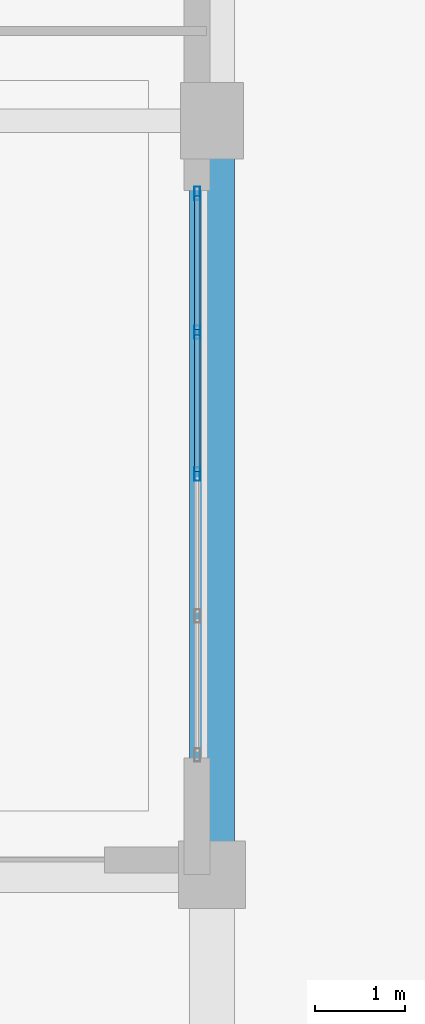
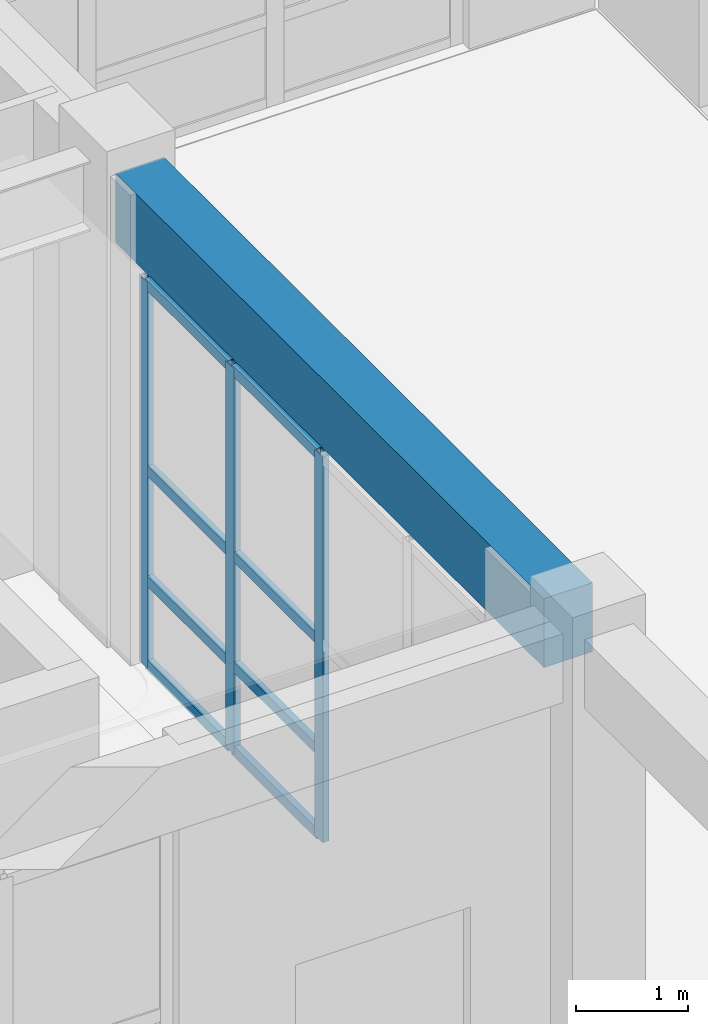
# One storey, part 32 of 148: 11 members, 1 beam, 1 element without a shape of its own.
"""IFC4 building model written with IfcOpenShell, lengths in metres."""

from ifc_helpers import new_model, si_unit, direction, frame, origin, origin_2d, place, context, subcontext, project, spatial, rectangle, hollow_rectangle, extrude, material, layer, layer_set, material_profile, profile_set, type_object, element, aggregate, save


model = new_model("IFC4")

# Units and contexts
model_context = context("Model", 3, precision=1e-05, world=origin(), true_north=direction((0.0, 1.0)))
body_context = subcontext(model_context, "Body", "Model", "MODEL_VIEW")
ifc_project = project(units=[si_unit("LENGTHUNIT", "METRE"), si_unit("AREAUNIT", "SQUARE_METRE"), si_unit("VOLUMEUNIT", "CUBIC_METRE"), si_unit("PLANEANGLEUNIT", "RADIAN"), si_unit("MASSUNIT", "GRAM", prefix="KILO")], contexts=[model_context])

# Site, building, storey
site_placement = place(None, origin())
site = spatial("IfcSite", under=ifc_project, at=site_placement, CompositionType="ELEMENT")
building_placement = place(site_placement, origin())
building = spatial("IfcBuilding", under=site, at=building_placement, Name="Quendrovan Civic Courthouse", CompositionType="ELEMENT")
storey_placement = place(building_placement, origin())
storey = spatial("IfcBuildingStorey", under=building, at=storey_placement, Name="L01", CompositionType="ELEMENT", Elevation=0.0)

# Beam
ifc_material_1 = material(Name="Concrete C40/50", Category="concrete")
ifc_material_profile_1 = material_profile(ifc_material_1, rectangle(XDim=0.5, YDim=0.75, at=origin_2d()), Name="RC-BM-500x750")
ifc_profile_set_1 = profile_set([ifc_material_profile_1], Name="Concrete C40/50")
beam_type = type_object("IfcBeamType", Name="BM-RC750", PredefinedType="SPANDREL", material=ifc_profile_set_1)
beam_placement = place(storey_placement, frame((16.800048828125, 56.7548828125, 4.7451171875), z_axis=(0.0, 1.0, 0.0), x_axis=(-1.0, 0.0, 0.0)))
element("IfcBeam", 1, at=beam_placement, inside=storey, type_object=beam_type, Name="L01 Girder Y0394", PredefinedType="SPANDREL", context=body_context, shape_type="SweptSolid", body=[
    extrude(rectangle(XDim=0.5, YDim=0.75, at=origin_2d()), origin(), (0.0, 0.0, 1.0), 7.64013671875),
])

# Curtain wall, members
ifc_material_2 = material(Name="Bronze anodised aluminium and low-E glass", Category="aluminium")
ifc_layer = layer(ifc_material_2, 0.179931640625, Name="Bronze anodised aluminium and low-E glass")
ifc_layer_set = layer_set([ifc_layer], Name="Bronze anodised aluminium and low-E glass")
curtain_wall_type = type_object("IfcCurtainWallType", Name="CW-U63x42", PredefinedType="USERDEFINED", material=ifc_layer_set)
curtain_wall_placement = place(storey_placement, origin())
curtain_wall = element("IfcCurtainWall", 2, at=curtain_wall_placement, inside=storey, type_object=curtain_wall_type, Name="L01 Unitised Hurricane Curtain Wall CW-013", ObjectType="UNITISED CURTAIN WALL", PredefinedType="USERDEFINED")
ifc_material_3 = material(Name="Bronze anodised aluminium", Category="aluminium")
ifc_material_profile_2 = material_profile(ifc_material_3, hollow_rectangle(XDim=0.06494140625, YDim=0.14990234375, WallThickness=0.00390625, at=origin_2d()), Name="CW-MULL-65x150")
ifc_profile_set_2 = profile_set([ifc_material_profile_2], Name="Bronze anodised aluminium")
member_type_1 = type_object("IfcMemberType", Name="CW-MULL-B", PredefinedType="MULLION", material=ifc_profile_set_2)
member_1_placement = place(storey_placement, frame((16.635009765625, 63.992431640625, 0.0), z_axis=(0.0, 0.0, 1.0), x_axis=(1.0, 0.0, 0.0)))
member_1 = element("IfcMember", 3, at=member_1_placement, type_object=member_type_1, Name="CW-013 mullion 1", PredefinedType="MULLION", context=body_context, shape_type="SweptSolid", body=[
    extrude(hollow_rectangle(XDim=0.06494140625, YDim=0.14990234375, WallThickness=0.00390625, at=origin_2d()), origin(), (0.0, 0.0, 1.0), 4.199951171875),
])
member_2_placement = place(storey_placement, frame((16.635009765625, 62.44384765625, 0.0), z_axis=(0.0, 0.0, 1.0), x_axis=(1.0, 0.0, 0.0)))
member_2 = element("IfcMember", 4, at=member_2_placement, type_object=member_type_1, Name="CW-013 mullion 2", PredefinedType="MULLION", context=body_context, shape_type="SweptSolid", body=[
    extrude(hollow_rectangle(XDim=0.06494140625, YDim=0.14990234375, WallThickness=0.00390625, at=origin_2d()), origin(), (0.0, 0.0, 1.0), 4.199951171875),
])
member_3_placement = place(storey_placement, frame((16.635009765625, 60.862548828125, 0.0), z_axis=(0.0, 0.0, 1.0), x_axis=(1.0, 0.0, 0.0)))
member_3 = element("IfcMember", 5, at=member_3_placement, type_object=member_type_1, Name="CW-013 mullion 3", PredefinedType="MULLION", context=body_context, shape_type="SweptSolid", body=[
    extrude(hollow_rectangle(XDim=0.06494140625, YDim=0.14990234375, WallThickness=0.00390625, at=origin_2d()), origin(), (0.0, 0.0, 1.0), 4.199951171875),
])
ifc_material_profile_3 = material_profile(ifc_material_3, hollow_rectangle(XDim=0.06494140625, YDim=0.114990234375, WallThickness=0.00390625, at=origin_2d()), Name="CW-TRAN-65x115")
ifc_profile_set_3 = profile_set([ifc_material_profile_3], Name="Bronze anodised aluminium")
member_type_2 = type_object("IfcMemberType", Name="CW-TRAN-B", PredefinedType="USERDEFINED", material=ifc_profile_set_3)
member_4_placement = place(storey_placement, frame((16.635009765625, 63.9599609375, 0.032470703125), z_axis=(0.0, -1.0, 0.0), x_axis=(1.0, 0.0, 0.0)))
member_4 = element("IfcMember", 6, at=member_4_placement, type_object=member_type_2, Name="CW-013 transom 1.1", ObjectType="TRANSOM", PredefinedType="USERDEFINED", context=body_context, shape_type="SweptSolid", body=[
    extrude(hollow_rectangle(XDim=0.06494140625, YDim=0.114990234375, WallThickness=0.00390625, at=origin_2d()), origin(), (0.0, 0.0, 1.0), 1.483642578125),
])
member_5_placement = place(storey_placement, frame((16.635009765625, 63.9599609375, 0.949951171875), z_axis=(0.0, -1.0, 0.0), x_axis=(1.0, 0.0, 0.0)))
member_5 = element("IfcMember", 7, at=member_5_placement, type_object=member_type_2, Name="CW-013 transom 1.2", ObjectType="TRANSOM", PredefinedType="USERDEFINED", context=body_context, shape_type="SweptSolid", body=[
    extrude(hollow_rectangle(XDim=0.06494140625, YDim=0.114990234375, WallThickness=0.00390625, at=origin_2d()), origin(), (0.0, 0.0, 1.0), 1.483642578125),
])
member_6_placement = place(storey_placement, frame((16.635009765625, 63.9599609375, 2.14990234375), z_axis=(0.0, -1.0, 0.0), x_axis=(1.0, 0.0, 0.0)))
member_6 = element("IfcMember", 8, at=member_6_placement, type_object=member_type_2, Name="CW-013 transom 1.3", ObjectType="TRANSOM", PredefinedType="USERDEFINED", context=body_context, shape_type="SweptSolid", body=[
    extrude(hollow_rectangle(XDim=0.06494140625, YDim=0.114990234375, WallThickness=0.00390625, at=origin_2d()), origin(), (0.0, 0.0, 1.0), 1.483642578125),
])
member_7_placement = place(storey_placement, frame((16.635009765625, 63.9599609375, 4.16748046875), z_axis=(0.0, -1.0, 0.0), x_axis=(1.0, 0.0, 0.0)))
member_7 = element("IfcMember", 9, at=member_7_placement, type_object=member_type_2, Name="CW-013 transom 1.4", ObjectType="TRANSOM", PredefinedType="USERDEFINED", context=body_context, shape_type="SweptSolid", body=[
    extrude(hollow_rectangle(XDim=0.06494140625, YDim=0.114990234375, WallThickness=0.00390625, at=origin_2d()), origin(), (0.0, 0.0, 1.0), 1.483642578125),
])
member_8_placement = place(storey_placement, frame((16.635009765625, 62.4111328125, 0.032470703125), z_axis=(0.0, -1.0, 0.0), x_axis=(1.0, 0.0, 0.0)))
member_8 = element("IfcMember", 10, at=member_8_placement, type_object=member_type_2, Name="CW-013 transom 2.1", ObjectType="TRANSOM", PredefinedType="USERDEFINED", context=body_context, shape_type="SweptSolid", body=[
    extrude(hollow_rectangle(XDim=0.06494140625, YDim=0.114990234375, WallThickness=0.00390625, at=origin_2d()), origin(), (0.0, 0.0, 1.0), 1.51611328125),
])
member_9_placement = place(storey_placement, frame((16.635009765625, 62.4111328125, 0.949951171875), z_axis=(0.0, -1.0, 0.0), x_axis=(1.0, 0.0, 0.0)))
member_9 = element("IfcMember", 11, at=member_9_placement, type_object=member_type_2, Name="CW-013 transom 2.2", ObjectType="TRANSOM", PredefinedType="USERDEFINED", context=body_context, shape_type="SweptSolid", body=[
    extrude(hollow_rectangle(XDim=0.06494140625, YDim=0.114990234375, WallThickness=0.00390625, at=origin_2d()), origin(), (0.0, 0.0, 1.0), 1.51611328125),
])
member_10_placement = place(storey_placement, frame((16.635009765625, 62.4111328125, 2.14990234375), z_axis=(0.0, -1.0, 0.0), x_axis=(1.0, 0.0, 0.0)))
member_10 = element("IfcMember", 12, at=member_10_placement, type_object=member_type_2, Name="CW-013 transom 2.3", ObjectType="TRANSOM", PredefinedType="USERDEFINED", context=body_context, shape_type="SweptSolid", body=[
    extrude(hollow_rectangle(XDim=0.06494140625, YDim=0.114990234375, WallThickness=0.00390625, at=origin_2d()), origin(), (0.0, 0.0, 1.0), 1.51611328125),
])
member_11_placement = place(storey_placement, frame((16.635009765625, 62.4111328125, 4.16748046875), z_axis=(0.0, -1.0, 0.0), x_axis=(1.0, 0.0, 0.0)))
member_11 = element("IfcMember", 13, at=member_11_placement, type_object=member_type_2, Name="CW-013 transom 2.4", ObjectType="TRANSOM", PredefinedType="USERDEFINED", context=body_context, shape_type="SweptSolid", body=[
    extrude(hollow_rectangle(XDim=0.06494140625, YDim=0.114990234375, WallThickness=0.00390625, at=origin_2d()), origin(), (0.0, 0.0, 1.0), 1.51611328125),
])
aggregate(curtain_wall, [member_1, member_2, member_3, member_4, member_5, member_6, member_7, member_8, member_9, member_10, member_11])

save(model, "model.ifc")
